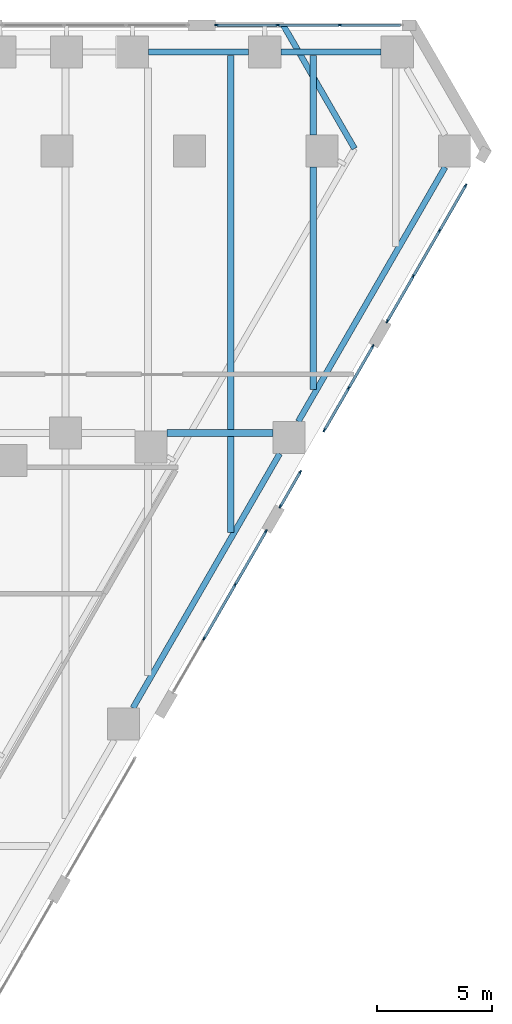
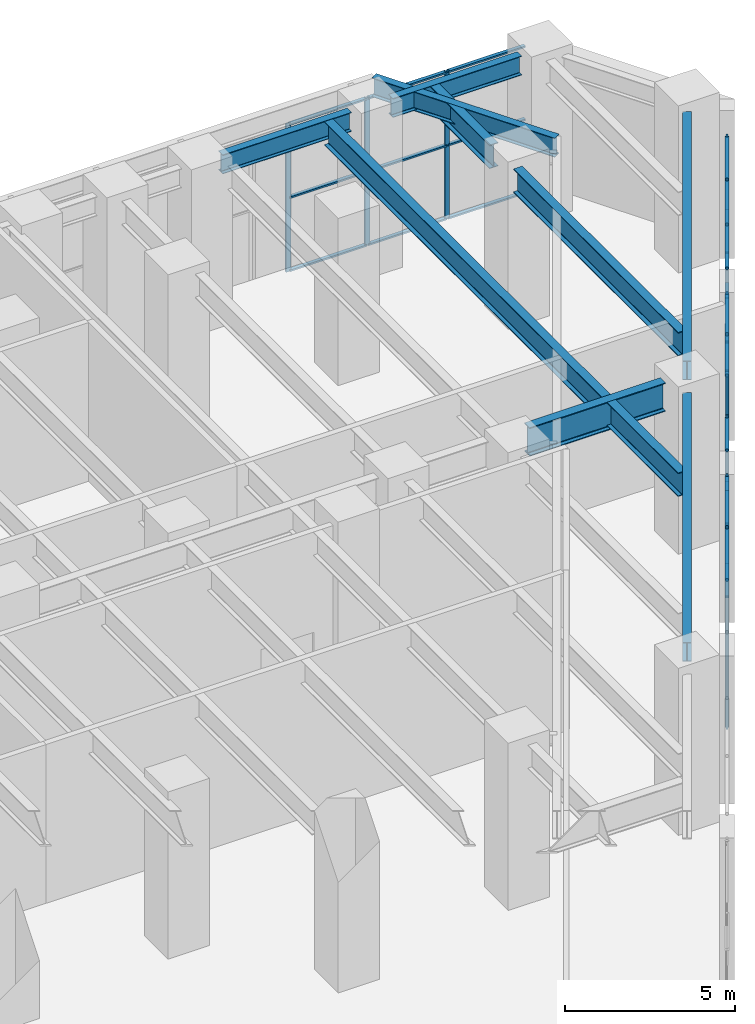
# One storey, part 20 of 37: 48 members, 10 beams, 5 elements without a shape of their own.
"""IFC4 building model written with IfcOpenShell, lengths in metres."""

from ifc_helpers import new_model, si_unit, direction, frame, origin, origin_2d, place, context, subcontext, project, spatial, rectangle, i_section, extrude, material, material_profile, profile_set, type_object, element, aggregate, save


model = new_model("IFC4")

# Units and contexts
model_context = context("Model", 3, precision=1e-05, world=origin(), true_north=direction((0.0, 1.0)))
body_context = subcontext(model_context, "Body", "Model", "MODEL_VIEW")
ifc_project = project(units=[si_unit("LENGTHUNIT", "METRE"), si_unit("AREAUNIT", "SQUARE_METRE"), si_unit("VOLUMEUNIT", "CUBIC_METRE"), si_unit("PLANEANGLEUNIT", "RADIAN"), si_unit("MASSUNIT", "GRAM", prefix="KILO")], contexts=[model_context])

# Site, building, storey
site_placement = place(None, origin())
site = spatial("IfcSite", under=ifc_project, at=site_placement, CompositionType="ELEMENT")
building_placement = place(site_placement, origin())
building = spatial("IfcBuilding", under=site, at=building_placement, Name="Aloe Facet Convention Tower", CompositionType="ELEMENT")
storey_placement = place(building_placement, frame((0.0, 0.0, 7.5)))
storey = spatial("IfcBuildingStorey", under=building, at=storey_placement, Name="L01", CompositionType="ELEMENT", Elevation=7.5)

# Beam
ifc_material_1 = material(Name="Steel S355", Category="steel")
ifc_material_profile_1 = material_profile(ifc_material_1, i_section(OverallWidth=0.25439453125, OverallDepth=0.6875, WebThickness=0.01318359375, FlangeThickness=0.02099609375, FilletRadius=0.01513671875, at=origin_2d()), Name="UB 686x254x152")
ifc_profile_set_1 = profile_set([ifc_material_profile_1], Name="Steel S355")
beam_type_1 = type_object("IfcBeamType", Name="EV-EB-UB686x254x152", PredefinedType="BEAM", material=ifc_profile_set_1)
beam_1_placement = place(storey_placement, frame((128.59912109375, 129.396728515625, 5.356201171875), z_axis=(-0.500016243463, 0.866016025414, 0.0), x_axis=(-0.866016025414, -0.500016243463, 0.0)))
element("IfcBeam", 1, at=beam_1_placement, inside=storey, type_object=beam_type_1, Name="EB-L02-C", PredefinedType="BEAM", context=body_context, shape_type="SweptSolid", body=[
    extrude(i_section(OverallWidth=0.25439453125, OverallDepth=0.6875, WebThickness=0.01318359375, FlangeThickness=0.02099609375, FilletRadius=0.01513671875, at=origin_2d()), origin(), (0.0, 0.0, 1.0), 6.210205078125),
])

# Curtain wall, members
ifc_material_2 = material(Name="Aluminium, anodised", Category="aluminium")
curtain_wall_type = type_object("IfcCurtainWallType", Name="EV-CW-SHOP", PredefinedType="USERDEFINED", material=ifc_material_2)
curtain_wall_1_placement = place(storey_placement, origin())
curtain_wall_1 = element("IfcCurtainWall", 2, at=curtain_wall_1_placement, inside=storey, type_object=curtain_wall_type, Name="CW-L01-N02", ObjectType="STICK SHOPFRONT GLAZING", PredefinedType="USERDEFINED")
ifc_material_3 = material(Name="Aluminium, anodised", Category="aluminium")
ifc_material_profile_2 = material_profile(ifc_material_3, rectangle(XDim=0.06005859375, YDim=0.159912109375, at=origin_2d()), Name="AL 60x160")
ifc_profile_set_2 = profile_set([ifc_material_profile_2], Name="Aluminium, anodised")
member_type_1 = type_object("IfcMemberType", Name="EV-MULL-SHOP", PredefinedType="MULLION", material=ifc_profile_set_2)
member_1_placement = place(storey_placement, frame((127.96044921875, 134.77490234375, -0.300048828125), z_axis=(0.0, 0.0, 1.0), x_axis=(0.0, -1.0, 0.0)))
member_1 = element("IfcMember", 3, at=member_1_placement, type_object=member_type_1, Name="CW-L01-N02 mullion 2", PredefinedType="MULLION", context=body_context, shape_type="SweptSolid", body=[
    extrude(rectangle(XDim=0.06005859375, YDim=0.159912109375, at=origin_2d()), origin(), (0.0, 0.0, 1.0), 5.3125),
])
member_2_placement = place(storey_placement, frame((125.253173828125, 134.77490234375, -0.300048828125), z_axis=(0.0, 0.0, 1.0), x_axis=(0.0, -1.0, 0.0)))
member_2 = element("IfcMember", 4, at=member_2_placement, type_object=member_type_1, Name="CW-L01-N02 mullion 3", PredefinedType="MULLION", context=body_context, shape_type="SweptSolid", body=[
    extrude(rectangle(XDim=0.06005859375, YDim=0.159912109375, at=origin_2d()), origin(), (0.0, 0.0, 1.0), 5.3125),
])
member_3_placement = place(storey_placement, frame((122.576171875, 134.77490234375, -0.300048828125), z_axis=(0.0, 0.0, 1.0), x_axis=(0.0, -1.0, 0.0)))
member_3 = element("IfcMember", 5, at=member_3_placement, type_object=member_type_1, Name="CW-L01-N02 mullion 4", PredefinedType="MULLION", context=body_context, shape_type="SweptSolid", body=[
    extrude(rectangle(XDim=0.06005859375, YDim=0.159912109375, at=origin_2d()), origin(), (0.0, 0.0, 1.0), 5.3125),
])

curtain_wall_2_placement = place(storey_placement, origin())
curtain_wall_2 = element("IfcCurtainWall", 6, at=curtain_wall_2_placement, inside=storey, type_object=curtain_wall_type, Name="CW-L01-E18", ObjectType="STICK SHOPFRONT GLAZING", PredefinedType="USERDEFINED")
member_4_placement = place(storey_placement, frame((122.044189453125, 108.043212890625, -0.300048828125), z_axis=(0.0, 0.0, 1.0), x_axis=(-0.866025403776, 0.500000000015, 0.0)))
member_4 = element("IfcMember", 7, at=member_4_placement, type_object=member_type_1, Name="CW-L01-E18 mullion 2", PredefinedType="MULLION", context=body_context, shape_type="SweptSolid", body=[
    extrude(rectangle(XDim=0.06005859375, YDim=0.159912109375, at=origin_2d()), origin(), (0.0, 0.0, 1.0), 5.3125),
])
member_5_placement = place(storey_placement, frame((123.397705078125, 110.3876953125, -0.300048828125), z_axis=(0.0, 0.0, 1.0), x_axis=(-0.866025403776, 0.500000000015, 0.0)))
member_5 = element("IfcMember", 8, at=member_5_placement, type_object=member_type_1, Name="CW-L01-E18 mullion 3", PredefinedType="MULLION", context=body_context, shape_type="SweptSolid", body=[
    extrude(rectangle(XDim=0.06005859375, YDim=0.159912109375, at=origin_2d()), origin(), (0.0, 0.0, 1.0), 5.3125),
])
member_6_placement = place(storey_placement, frame((124.736328125, 112.7060546875, -0.300048828125), z_axis=(0.0, 0.0, 1.0), x_axis=(-0.866025403776, 0.500000000015, 0.0)))
member_6 = element("IfcMember", 9, at=member_6_placement, type_object=member_type_1, Name="CW-L01-E18 mullion 4", PredefinedType="MULLION", context=body_context, shape_type="SweptSolid", body=[
    extrude(rectangle(XDim=0.06005859375, YDim=0.159912109375, at=origin_2d()), origin(), (0.0, 0.0, 1.0), 5.3125),
])

curtain_wall_3_placement = place(storey_placement, origin())
curtain_wall_3 = element("IfcCurtainWall", 10, at=curtain_wall_3_placement, inside=storey, type_object=curtain_wall_type, Name="CW-L01-E20-1", ObjectType="STICK SHOPFRONT GLAZING", PredefinedType="USERDEFINED")
member_7_placement = place(storey_placement, frame((125.3662109375, 113.79736328125, -0.300048828125), z_axis=(0.0, 0.0, 1.0), x_axis=(-0.866025403811, 0.499999999955, 0.0)))
member_7 = element("IfcMember", 11, at=member_7_placement, type_object=member_type_1, Name="CW-L01-E20-1 mullion 1", PredefinedType="MULLION", context=body_context, shape_type="SweptSolid", body=[
    extrude(rectangle(XDim=0.06005859375, YDim=0.159912109375, at=origin_2d()), origin(), (0.0, 0.0, 1.0), 5.3125),
])
member_8_placement = place(storey_placement, frame((126.232666015625, 115.298095703125, -0.300048828125), z_axis=(0.0, 0.0, 1.0), x_axis=(-0.866025403811, 0.499999999955, 0.0)))
member_8 = element("IfcMember", 12, at=member_8_placement, type_object=member_type_1, Name="CW-L01-E20-1 mullion 2", PredefinedType="MULLION", context=body_context, shape_type="SweptSolid", body=[
    extrude(rectangle(XDim=0.06005859375, YDim=0.159912109375, at=origin_2d()), origin(), (0.0, 0.0, 1.0), 5.3125),
])

curtain_wall_4_placement = place(storey_placement, origin())
curtain_wall_4 = element("IfcCurtainWall", 13, at=curtain_wall_4_placement, inside=storey, type_object=curtain_wall_type, Name="CW-L01-E20-2", ObjectType="STICK SHOPFRONT GLAZING", PredefinedType="USERDEFINED")
member_9_placement = place(storey_placement, frame((127.287353515625, 117.12451171875, -0.300048828125), z_axis=(0.0, 0.0, 1.0), x_axis=(-0.866025403767, 0.50000000003, 0.0)))
member_9 = element("IfcMember", 14, at=member_9_placement, type_object=member_type_1, Name="CW-L01-E20-2 mullion 1", PredefinedType="MULLION", context=body_context, shape_type="SweptSolid", body=[
    extrude(rectangle(XDim=0.06005859375, YDim=0.159912109375, at=origin_2d()), origin(), (0.0, 0.0, 1.0), 5.3125),
])
member_10_placement = place(storey_placement, frame((128.342041015625, 118.95166015625, -0.300048828125), z_axis=(0.0, 0.0, 1.0), x_axis=(-0.866025403767, 0.50000000003, 0.0)))
member_10 = element("IfcMember", 15, at=member_10_placement, type_object=member_type_1, Name="CW-L01-E20-2 mullion 2", PredefinedType="MULLION", context=body_context, shape_type="SweptSolid", body=[
    extrude(rectangle(XDim=0.06005859375, YDim=0.159912109375, at=origin_2d()), origin(), (0.0, 0.0, 1.0), 5.3125),
])
member_11_placement = place(storey_placement, frame((129.39697265625, 120.778564453125, -0.300048828125), z_axis=(0.0, 0.0, 1.0), x_axis=(-0.866025403767, 0.50000000003, 0.0)))
member_11 = element("IfcMember", 16, at=member_11_placement, type_object=member_type_1, Name="CW-L01-E20-2 mullion 3", PredefinedType="MULLION", context=body_context, shape_type="SweptSolid", body=[
    extrude(rectangle(XDim=0.06005859375, YDim=0.159912109375, at=origin_2d()), origin(), (0.0, 0.0, 1.0), 5.3125),
])

curtain_wall_5_placement = place(storey_placement, origin())
curtain_wall_5 = element("IfcCurtainWall", 17, at=curtain_wall_5_placement, inside=storey, type_object=curtain_wall_type, Name="CW-L01-E22", ObjectType="STICK SHOPFRONT GLAZING", PredefinedType="USERDEFINED")
member_12_placement = place(storey_placement, frame((130.02685546875, 121.869873046875, -0.300048828125), z_axis=(0.0, 0.0, 1.0), x_axis=(-0.866025403828, 0.499999999924, 0.0)))
member_12 = element("IfcMember", 18, at=member_12_placement, type_object=member_type_1, Name="CW-L01-E22 mullion 1", PredefinedType="MULLION", context=body_context, shape_type="SweptSolid", body=[
    extrude(rectangle(XDim=0.06005859375, YDim=0.159912109375, at=origin_2d()), origin(), (0.0, 0.0, 1.0), 5.3125),
])
member_13_placement = place(storey_placement, frame((131.16015625, 123.832275390625, -0.300048828125), z_axis=(0.0, 0.0, 1.0), x_axis=(-0.866025403828, 0.499999999924, 0.0)))
member_13 = element("IfcMember", 19, at=member_13_placement, type_object=member_type_1, Name="CW-L01-E22 mullion 2", PredefinedType="MULLION", context=body_context, shape_type="SweptSolid", body=[
    extrude(rectangle(XDim=0.06005859375, YDim=0.159912109375, at=origin_2d()), origin(), (0.0, 0.0, 1.0), 5.3125),
])
member_14_placement = place(storey_placement, frame((132.30810546875, 125.82080078125, -0.300048828125), z_axis=(0.0, 0.0, 1.0), x_axis=(-0.866025403828, 0.499999999924, 0.0)))
member_14 = element("IfcMember", 20, at=member_14_placement, type_object=member_type_1, Name="CW-L01-E22 mullion 3", PredefinedType="MULLION", context=body_context, shape_type="SweptSolid", body=[
    extrude(rectangle(XDim=0.06005859375, YDim=0.159912109375, at=origin_2d()), origin(), (0.0, 0.0, 1.0), 5.3125),
])
member_15_placement = place(storey_placement, frame((133.441162109375, 127.783447265625, -0.300048828125), z_axis=(0.0, 0.0, 1.0), x_axis=(-0.866025403828, 0.499999999924, 0.0)))
member_15 = element("IfcMember", 21, at=member_15_placement, type_object=member_type_1, Name="CW-L01-E22 mullion 4", PredefinedType="MULLION", context=body_context, shape_type="SweptSolid", body=[
    extrude(rectangle(XDim=0.06005859375, YDim=0.159912109375, at=origin_2d()), origin(), (0.0, 0.0, 1.0), 5.3125),
])

# Member
ifc_material_4 = material(Name="Aluminium, anodised", Category="aluminium")
ifc_material_profile_3 = material_profile(ifc_material_4, rectangle(XDim=0.1201171875, YDim=0.06005859375, at=origin_2d()), Name="AL 120x60")
ifc_profile_set_3 = profile_set([ifc_material_profile_3], Name="Aluminium, anodised")
member_type_2 = type_object("IfcMemberType", Name="EV-TRAN-SHOP", PredefinedType="USERDEFINED", material=ifc_profile_set_3)
member_16_placement = place(storey_placement, frame((130.607421875, 134.77490234375, -0.27001953125), z_axis=(-1.0, 0.0, 0.0), x_axis=(0.0, -1.0, 0.0)))
member_16 = element("IfcMember", 22, at=member_16_placement, type_object=member_type_2, Name="CW-L01-N02 transom 1.1", ObjectType="TRANSOM", PredefinedType="USERDEFINED", context=body_context, shape_type="SweptSolid", body=[
    extrude(rectangle(XDim=0.1201171875, YDim=0.06005859375, at=origin_2d()), origin(), (0.0, 0.0, 1.0), 2.616943359375),
])

member_17_placement = place(storey_placement, frame((130.607421875, 134.77490234375, 2.356201171875), z_axis=(-1.0, 0.0, 0.0), x_axis=(0.0, -1.0, 0.0)))
member_17 = element("IfcMember", 23, at=member_17_placement, type_object=member_type_2, Name="CW-L01-N02 transom 1.2", ObjectType="TRANSOM", PredefinedType="USERDEFINED", context=body_context, shape_type="SweptSolid", body=[
    extrude(rectangle(XDim=0.1201171875, YDim=0.06005859375, at=origin_2d()), origin(), (0.0, 0.0, 1.0), 2.616943359375),
])

member_18_placement = place(storey_placement, frame((130.607421875, 134.77490234375, 4.982421875), z_axis=(-1.0, 0.0, 0.0), x_axis=(0.0, -1.0, 0.0)))
member_18 = element("IfcMember", 24, at=member_18_placement, type_object=member_type_2, Name="CW-L01-N02 transom 1.3", ObjectType="TRANSOM", PredefinedType="USERDEFINED", context=body_context, shape_type="SweptSolid", body=[
    extrude(rectangle(XDim=0.1201171875, YDim=0.06005859375, at=origin_2d()), origin(), (0.0, 0.0, 1.0), 2.616943359375),
])

member_19_placement = place(storey_placement, frame((127.930419921875, 134.77490234375, -0.27001953125), z_axis=(-1.0, 0.0, 0.0), x_axis=(0.0, -1.0, 0.0)))
member_19 = element("IfcMember", 25, at=member_19_placement, type_object=member_type_2, Name="CW-L01-N02 transom 2.1", ObjectType="TRANSOM", PredefinedType="USERDEFINED", context=body_context, shape_type="SweptSolid", body=[
    extrude(rectangle(XDim=0.1201171875, YDim=0.06005859375, at=origin_2d()), origin(), (0.0, 0.0, 1.0), 2.647216796875),
])

member_20_placement = place(storey_placement, frame((127.930419921875, 134.77490234375, 2.356201171875), z_axis=(-1.0, 0.0, 0.0), x_axis=(0.0, -1.0, 0.0)))
member_20 = element("IfcMember", 26, at=member_20_placement, type_object=member_type_2, Name="CW-L01-N02 transom 2.2", ObjectType="TRANSOM", PredefinedType="USERDEFINED", context=body_context, shape_type="SweptSolid", body=[
    extrude(rectangle(XDim=0.1201171875, YDim=0.06005859375, at=origin_2d()), origin(), (0.0, 0.0, 1.0), 2.647216796875),
])

member_21_placement = place(storey_placement, frame((127.930419921875, 134.77490234375, 4.982421875), z_axis=(-1.0, 0.0, 0.0), x_axis=(0.0, -1.0, 0.0)))
member_21 = element("IfcMember", 27, at=member_21_placement, type_object=member_type_2, Name="CW-L01-N02 transom 2.3", ObjectType="TRANSOM", PredefinedType="USERDEFINED", context=body_context, shape_type="SweptSolid", body=[
    extrude(rectangle(XDim=0.1201171875, YDim=0.06005859375, at=origin_2d()), origin(), (0.0, 0.0, 1.0), 2.647216796875),
])

member_22_placement = place(storey_placement, frame((125.223388671875, 134.77490234375, -0.27001953125), z_axis=(-1.0, 0.0, 0.0), x_axis=(0.0, -1.0, 0.0)))
member_22 = element("IfcMember", 28, at=member_22_placement, type_object=member_type_2, Name="CW-L01-N02 transom 3.1", ObjectType="TRANSOM", PredefinedType="USERDEFINED", context=body_context, shape_type="SweptSolid", body=[
    extrude(rectangle(XDim=0.1201171875, YDim=0.06005859375, at=origin_2d()), origin(), (0.0, 0.0, 1.0), 2.6171875),
])

member_23_placement = place(storey_placement, frame((125.223388671875, 134.77490234375, 2.356201171875), z_axis=(-1.0, 0.0, 0.0), x_axis=(0.0, -1.0, 0.0)))
member_23 = element("IfcMember", 29, at=member_23_placement, type_object=member_type_2, Name="CW-L01-N02 transom 3.2", ObjectType="TRANSOM", PredefinedType="USERDEFINED", context=body_context, shape_type="SweptSolid", body=[
    extrude(rectangle(XDim=0.1201171875, YDim=0.06005859375, at=origin_2d()), origin(), (0.0, 0.0, 1.0), 2.6171875),
])

member_24_placement = place(storey_placement, frame((125.223388671875, 134.77490234375, 4.982421875), z_axis=(-1.0, 0.0, 0.0), x_axis=(0.0, -1.0, 0.0)))
member_24 = element("IfcMember", 30, at=member_24_placement, type_object=member_type_2, Name="CW-L01-N02 transom 3.3", ObjectType="TRANSOM", PredefinedType="USERDEFINED", context=body_context, shape_type="SweptSolid", body=[
    extrude(rectangle(XDim=0.1201171875, YDim=0.06005859375, at=origin_2d()), origin(), (0.0, 0.0, 1.0), 2.6171875),
])

aggregate(curtain_wall_1, [member_1, member_2, member_3, member_16, member_17, member_18, member_19, member_20, member_21, member_22, member_23, member_24])

member_25_placement = place(storey_placement, frame((122.05908203125, 108.069091796875, -0.27001953125), z_axis=(0.500047101561, 0.865998207978, 0.0), x_axis=(-0.865998207978, 0.500047101561, 0.0)))
member_25 = element("IfcMember", 31, at=member_25_placement, type_object=member_type_2, Name="CW-L01-E18 transom 2.1", ObjectType="TRANSOM", PredefinedType="USERDEFINED", context=body_context, shape_type="SweptSolid", body=[
    extrude(rectangle(XDim=0.1201171875, YDim=0.06005859375, at=origin_2d()), origin(), (0.0, 0.0, 1.0), 2.647216796875),
])

member_26_placement = place(storey_placement, frame((122.05908203125, 108.069091796875, 2.356201171875), z_axis=(0.500047101561, 0.865998207978, 0.0), x_axis=(-0.865998207978, 0.500047101561, 0.0)))
member_26 = element("IfcMember", 32, at=member_26_placement, type_object=member_type_2, Name="CW-L01-E18 transom 2.2", ObjectType="TRANSOM", PredefinedType="USERDEFINED", context=body_context, shape_type="SweptSolid", body=[
    extrude(rectangle(XDim=0.1201171875, YDim=0.06005859375, at=origin_2d()), origin(), (0.0, 0.0, 1.0), 2.647216796875),
])

member_27_placement = place(storey_placement, frame((122.05908203125, 108.069091796875, 4.982421875), z_axis=(0.500047101561, 0.865998207978, 0.0), x_axis=(-0.865998207978, 0.500047101561, 0.0)))
member_27 = element("IfcMember", 33, at=member_27_placement, type_object=member_type_2, Name="CW-L01-E18 transom 2.3", ObjectType="TRANSOM", PredefinedType="USERDEFINED", context=body_context, shape_type="SweptSolid", body=[
    extrude(rectangle(XDim=0.1201171875, YDim=0.06005859375, at=origin_2d()), origin(), (0.0, 0.0, 1.0), 2.647216796875),
])

member_28_placement = place(storey_placement, frame((123.412841796875, 110.41357421875, -0.27001953125), z_axis=(0.49992164446, 0.86607063765, 0.0), x_axis=(-0.86607063765, 0.49992164446, 0.0)))
member_28 = element("IfcMember", 34, at=member_28_placement, type_object=member_type_2, Name="CW-L01-E18 transom 3.1", ObjectType="TRANSOM", PredefinedType="USERDEFINED", context=body_context, shape_type="SweptSolid", body=[
    extrude(rectangle(XDim=0.1201171875, YDim=0.06005859375, at=origin_2d()), origin(), (0.0, 0.0, 1.0), 2.6171875),
])

member_29_placement = place(storey_placement, frame((123.412841796875, 110.41357421875, 2.356201171875), z_axis=(0.49992164446, 0.86607063765, 0.0), x_axis=(-0.86607063765, 0.49992164446, 0.0)))
member_29 = element("IfcMember", 35, at=member_29_placement, type_object=member_type_2, Name="CW-L01-E18 transom 3.2", ObjectType="TRANSOM", PredefinedType="USERDEFINED", context=body_context, shape_type="SweptSolid", body=[
    extrude(rectangle(XDim=0.1201171875, YDim=0.06005859375, at=origin_2d()), origin(), (0.0, 0.0, 1.0), 2.6171875),
])

member_30_placement = place(storey_placement, frame((123.412841796875, 110.41357421875, 4.982421875), z_axis=(0.49992164446, 0.86607063765, 0.0), x_axis=(-0.86607063765, 0.49992164446, 0.0)))
member_30 = element("IfcMember", 36, at=member_30_placement, type_object=member_type_2, Name="CW-L01-E18 transom 3.3", ObjectType="TRANSOM", PredefinedType="USERDEFINED", context=body_context, shape_type="SweptSolid", body=[
    extrude(rectangle(XDim=0.1201171875, YDim=0.06005859375, at=origin_2d()), origin(), (0.0, 0.0, 1.0), 2.6171875),
])

aggregate(curtain_wall_2, [member_4, member_5, member_6, member_25, member_26, member_27, member_28, member_29, member_30])

member_31_placement = place(storey_placement, frame((125.38134765625, 113.8232421875, -0.27001953125), z_axis=(0.500000383388, 0.866025182435, 0.0), x_axis=(-0.866025182435, 0.500000383388, 0.0)))
member_31 = element("IfcMember", 37, at=member_31_placement, type_object=member_type_2, Name="CW-L01-E20-1 transom 1.1", ObjectType="TRANSOM", PredefinedType="USERDEFINED", context=body_context, shape_type="SweptSolid", body=[
    extrude(rectangle(XDim=0.1201171875, YDim=0.06005859375, at=origin_2d()), origin(), (0.0, 0.0, 1.0), 1.6728515625),
])

member_32_placement = place(storey_placement, frame((125.38134765625, 113.8232421875, 2.356201171875), z_axis=(0.500000383388, 0.866025182435, 0.0), x_axis=(-0.866025182435, 0.500000383388, 0.0)))
member_32 = element("IfcMember", 38, at=member_32_placement, type_object=member_type_2, Name="CW-L01-E20-1 transom 1.2", ObjectType="TRANSOM", PredefinedType="USERDEFINED", context=body_context, shape_type="SweptSolid", body=[
    extrude(rectangle(XDim=0.1201171875, YDim=0.06005859375, at=origin_2d()), origin(), (0.0, 0.0, 1.0), 1.6728515625),
])

member_33_placement = place(storey_placement, frame((125.38134765625, 113.8232421875, 4.982421875), z_axis=(0.500000383388, 0.866025182435, 0.0), x_axis=(-0.866025182435, 0.500000383388, 0.0)))
member_33 = element("IfcMember", 39, at=member_33_placement, type_object=member_type_2, Name="CW-L01-E20-1 transom 1.3", ObjectType="TRANSOM", PredefinedType="USERDEFINED", context=body_context, shape_type="SweptSolid", body=[
    extrude(rectangle(XDim=0.1201171875, YDim=0.06005859375, at=origin_2d()), origin(), (0.0, 0.0, 1.0), 1.6728515625),
])

aggregate(curtain_wall_3, [member_7, member_8, member_31, member_32, member_33])

member_34_placement = place(storey_placement, frame((127.30224609375, 117.150390625, -0.27001953125), z_axis=(0.500007699544, 0.866020958405, 0.0), x_axis=(-0.866020958405, 0.500007699544, 0.0)))
member_34 = element("IfcMember", 40, at=member_34_placement, type_object=member_type_2, Name="CW-L01-E20-2 transom 1.1", ObjectType="TRANSOM", PredefinedType="USERDEFINED", context=body_context, shape_type="SweptSolid", body=[
    extrude(rectangle(XDim=0.1201171875, YDim=0.06005859375, at=origin_2d()), origin(), (0.0, 0.0, 1.0), 2.0498046875),
])

member_35_placement = place(storey_placement, frame((127.30224609375, 117.150390625, 2.356201171875), z_axis=(0.500007699544, 0.866020958405, 0.0), x_axis=(-0.866020958405, 0.500007699544, 0.0)))
member_35 = element("IfcMember", 41, at=member_35_placement, type_object=member_type_2, Name="CW-L01-E20-2 transom 1.2", ObjectType="TRANSOM", PredefinedType="USERDEFINED", context=body_context, shape_type="SweptSolid", body=[
    extrude(rectangle(XDim=0.1201171875, YDim=0.06005859375, at=origin_2d()), origin(), (0.0, 0.0, 1.0), 2.0498046875),
])

member_36_placement = place(storey_placement, frame((127.30224609375, 117.150390625, 4.982421875), z_axis=(0.500007699544, 0.866020958405, 0.0), x_axis=(-0.866020958405, 0.500007699544, 0.0)))
member_36 = element("IfcMember", 42, at=member_36_placement, type_object=member_type_2, Name="CW-L01-E20-2 transom 1.3", ObjectType="TRANSOM", PredefinedType="USERDEFINED", context=body_context, shape_type="SweptSolid", body=[
    extrude(rectangle(XDim=0.1201171875, YDim=0.06005859375, at=origin_2d()), origin(), (0.0, 0.0, 1.0), 2.0498046875),
])

member_37_placement = place(storey_placement, frame((128.357177734375, 118.9775390625, -0.27001953125), z_axis=(0.500007699544, 0.866020958405, 0.0), x_axis=(-0.866020958405, 0.500007699544, 0.0)))
member_37 = element("IfcMember", 43, at=member_37_placement, type_object=member_type_2, Name="CW-L01-E20-2 transom 2.1", ObjectType="TRANSOM", PredefinedType="USERDEFINED", context=body_context, shape_type="SweptSolid", body=[
    extrude(rectangle(XDim=0.1201171875, YDim=0.06005859375, at=origin_2d()), origin(), (0.0, 0.0, 1.0), 2.0498046875),
])

member_38_placement = place(storey_placement, frame((128.357177734375, 118.9775390625, 2.356201171875), z_axis=(0.500007699544, 0.866020958405, 0.0), x_axis=(-0.866020958405, 0.500007699544, 0.0)))
member_38 = element("IfcMember", 44, at=member_38_placement, type_object=member_type_2, Name="CW-L01-E20-2 transom 2.2", ObjectType="TRANSOM", PredefinedType="USERDEFINED", context=body_context, shape_type="SweptSolid", body=[
    extrude(rectangle(XDim=0.1201171875, YDim=0.06005859375, at=origin_2d()), origin(), (0.0, 0.0, 1.0), 2.0498046875),
])

member_39_placement = place(storey_placement, frame((128.357177734375, 118.9775390625, 4.982421875), z_axis=(0.500007699544, 0.866020958405, 0.0), x_axis=(-0.866020958405, 0.500007699544, 0.0)))
member_39 = element("IfcMember", 45, at=member_39_placement, type_object=member_type_2, Name="CW-L01-E20-2 transom 2.3", ObjectType="TRANSOM", PredefinedType="USERDEFINED", context=body_context, shape_type="SweptSolid", body=[
    extrude(rectangle(XDim=0.1201171875, YDim=0.06005859375, at=origin_2d()), origin(), (0.0, 0.0, 1.0), 2.0498046875),
])

aggregate(curtain_wall_4, [member_9, member_10, member_11, member_34, member_35, member_36, member_37, member_38, member_39])

member_40_placement = place(storey_placement, frame((130.0419921875, 121.895751953125, -0.27001953125), z_axis=(0.499971514742, 0.866041849131, 0.0), x_axis=(-0.866041849131, 0.499971514742, 0.0)))
member_40 = element("IfcMember", 46, at=member_40_placement, type_object=member_type_2, Name="CW-L01-E22 transom 1.1", ObjectType="TRANSOM", PredefinedType="USERDEFINED", context=body_context, shape_type="SweptSolid", body=[
    extrude(rectangle(XDim=0.1201171875, YDim=0.06005859375, at=origin_2d()), origin(), (0.0, 0.0, 1.0), 2.206298828125),
])

member_41_placement = place(storey_placement, frame((130.0419921875, 121.895751953125, 2.356201171875), z_axis=(0.499971514742, 0.866041849131, 0.0), x_axis=(-0.866041849131, 0.499971514742, 0.0)))
member_41 = element("IfcMember", 47, at=member_41_placement, type_object=member_type_2, Name="CW-L01-E22 transom 1.2", ObjectType="TRANSOM", PredefinedType="USERDEFINED", context=body_context, shape_type="SweptSolid", body=[
    extrude(rectangle(XDim=0.1201171875, YDim=0.06005859375, at=origin_2d()), origin(), (0.0, 0.0, 1.0), 2.206298828125),
])

member_42_placement = place(storey_placement, frame((130.0419921875, 121.895751953125, 4.982421875), z_axis=(0.499971514742, 0.866041849131, 0.0), x_axis=(-0.866041849131, 0.499971514742, 0.0)))
member_42 = element("IfcMember", 48, at=member_42_placement, type_object=member_type_2, Name="CW-L01-E22 transom 1.3", ObjectType="TRANSOM", PredefinedType="USERDEFINED", context=body_context, shape_type="SweptSolid", body=[
    extrude(rectangle(XDim=0.1201171875, YDim=0.06005859375, at=origin_2d()), origin(), (0.0, 0.0, 1.0), 2.206298828125),
])

member_43_placement = place(storey_placement, frame((131.175048828125, 123.8583984375, -0.27001953125), z_axis=(0.500037474894, 0.866003766563, 0.0), x_axis=(-0.866003766563, 0.500037474894, 0.0)))
member_43 = element("IfcMember", 49, at=member_43_placement, type_object=member_type_2, Name="CW-L01-E22 transom 2.1", ObjectType="TRANSOM", PredefinedType="USERDEFINED", context=body_context, shape_type="SweptSolid", body=[
    extrude(rectangle(XDim=0.1201171875, YDim=0.06005859375, at=origin_2d()), origin(), (0.0, 0.0, 1.0), 2.236083984375),
])

member_44_placement = place(storey_placement, frame((131.175048828125, 123.8583984375, 2.356201171875), z_axis=(0.500037474894, 0.866003766563, 0.0), x_axis=(-0.866003766563, 0.500037474894, 0.0)))
member_44 = element("IfcMember", 50, at=member_44_placement, type_object=member_type_2, Name="CW-L01-E22 transom 2.2", ObjectType="TRANSOM", PredefinedType="USERDEFINED", context=body_context, shape_type="SweptSolid", body=[
    extrude(rectangle(XDim=0.1201171875, YDim=0.06005859375, at=origin_2d()), origin(), (0.0, 0.0, 1.0), 2.236083984375),
])

member_45_placement = place(storey_placement, frame((131.175048828125, 123.8583984375, 4.982421875), z_axis=(0.500037474894, 0.866003766563, 0.0), x_axis=(-0.866003766563, 0.500037474894, 0.0)))
member_45 = element("IfcMember", 51, at=member_45_placement, type_object=member_type_2, Name="CW-L01-E22 transom 2.3", ObjectType="TRANSOM", PredefinedType="USERDEFINED", context=body_context, shape_type="SweptSolid", body=[
    extrude(rectangle(XDim=0.1201171875, YDim=0.06005859375, at=origin_2d()), origin(), (0.0, 0.0, 1.0), 2.236083984375),
])

member_46_placement = place(storey_placement, frame((132.322998046875, 125.846923828125, -0.27001953125), z_axis=(0.500102430372, 0.865966257504, 0.0), x_axis=(-0.865966257504, 0.500102430372, 0.0)))
member_46 = element("IfcMember", 52, at=member_46_placement, type_object=member_type_2, Name="CW-L01-E22 transom 3.1", ObjectType="TRANSOM", PredefinedType="USERDEFINED", context=body_context, shape_type="SweptSolid", body=[
    extrude(rectangle(XDim=0.1201171875, YDim=0.06005859375, at=origin_2d()), origin(), (0.0, 0.0, 1.0), 2.2060546875),
])

member_47_placement = place(storey_placement, frame((132.322998046875, 125.846923828125, 2.356201171875), z_axis=(0.500102430372, 0.865966257504, 0.0), x_axis=(-0.865966257504, 0.500102430372, 0.0)))
member_47 = element("IfcMember", 53, at=member_47_placement, type_object=member_type_2, Name="CW-L01-E22 transom 3.2", ObjectType="TRANSOM", PredefinedType="USERDEFINED", context=body_context, shape_type="SweptSolid", body=[
    extrude(rectangle(XDim=0.1201171875, YDim=0.06005859375, at=origin_2d()), origin(), (0.0, 0.0, 1.0), 2.2060546875),
])

member_48_placement = place(storey_placement, frame((132.322998046875, 125.846923828125, 4.982421875), z_axis=(0.500102430372, 0.865966257504, 0.0), x_axis=(-0.865966257504, 0.500102430372, 0.0)))
member_48 = element("IfcMember", 54, at=member_48_placement, type_object=member_type_2, Name="CW-L01-E22 transom 3.3", ObjectType="TRANSOM", PredefinedType="USERDEFINED", context=body_context, shape_type="SweptSolid", body=[
    extrude(rectangle(XDim=0.1201171875, YDim=0.06005859375, at=origin_2d()), origin(), (0.0, 0.0, 1.0), 2.2060546875),
])

aggregate(curtain_wall_5, [member_12, member_13, member_14, member_15, member_40, member_41, member_42, member_43, member_44, member_45, member_46, member_47, member_48])

# Beams
ifc_material_5 = material(Name="Steel S355", Category="steel")
ifc_material_profile_4 = material_profile(ifc_material_5, i_section(OverallWidth=0.305419921875, OverallDepth=1.02587890625, WebThickness=0.02001953125, FlangeThickness=0.031005859375, FilletRadius=0.030029296875, at=origin_2d()), Name="UB 1016x305x349")
ifc_profile_set_4 = profile_set([ifc_material_profile_4], Name="Steel S355")
beam_type_2 = type_object("IfcBeamType", Name="SF-B-UB1016x305x349", PredefinedType="BEAM", material=ifc_profile_set_4)
beam_2_placement = place(storey_placement, frame((120.429931640625, 117.0, 5.18701171875), z_axis=(1.0, 0.0, 0.0), x_axis=(0.0, 1.0, 0.0)))
element("IfcBeam", 55, at=beam_2_placement, inside=storey, type_object=beam_type_2, Name="Floor beam FB-L02-049", PredefinedType="BEAM", context=body_context, shape_type="SweptSolid", body=[
    extrude(i_section(OverallWidth=0.305419921875, OverallDepth=1.02587890625, WebThickness=0.02001953125, FlangeThickness=0.031005859375, FilletRadius=0.030029296875, at=origin_2d()), origin(), (0.0, 0.0, 1.0), 4.612060546875),
])
ifc_material_6 = material(Name="Steel S355", Category="steel")
ifc_material_profile_5 = material_profile(ifc_material_6, i_section(OverallWidth=0.25439453125, OverallDepth=0.6875, WebThickness=0.01318359375, FlangeThickness=0.02099609375, FilletRadius=0.01513671875, at=origin_2d()), Name="UB 686x254x152")
ifc_profile_set_5 = profile_set([ifc_material_profile_5], Name="Steel S355")
beam_type_3 = type_object("IfcBeamType", Name="SF-B-UB686x254x152", PredefinedType="BEAM", material=ifc_profile_set_5)
beam_3_placement = place(storey_placement, frame((119.612060546875, 133.60009765625, 5.356201171875), z_axis=(1.0, 0.0, 0.0), x_axis=(0.0, 1.0, 0.0)))
element("IfcBeam", 56, at=beam_3_placement, inside=storey, type_object=beam_type_3, Name="Floor beam FB-L02-025", PredefinedType="BEAM", context=body_context, shape_type="SweptSolid", body=[
    extrude(i_section(OverallWidth=0.25439453125, OverallDepth=0.6875, WebThickness=0.01318359375, FlangeThickness=0.02099609375, FilletRadius=0.01513671875, at=origin_2d()), origin(), (0.0, 0.0, 1.0), 4.3740234375),
])
beam_4_placement = place(storey_placement, frame((125.33837890625, 116.09912109375, 5.356201171875), z_axis=(-0.499987149722, -0.866032822769, 0.0), x_axis=(0.866032822769, -0.499987149722, 0.0)))
element("IfcBeam", 57, at=beam_4_placement, inside=storey, type_object=beam_type_3, Name="Floor beam FB-L02-026", PredefinedType="BEAM", context=body_context, shape_type="SweptSolid", body=[
    extrude(i_section(OverallWidth=0.25439453125, OverallDepth=0.6875, WebThickness=0.01318359375, FlangeThickness=0.02099609375, FilletRadius=0.01513671875, at=origin_2d()), origin(), (0.0, 0.0, 1.0), 12.801025390625),
])
beam_5_placement = place(storey_placement, frame((125.385986328125, 133.60009765625, 5.356201171875), z_axis=(1.0, 0.0, 0.0), x_axis=(0.0, 1.0, 0.0)))
element("IfcBeam", 58, at=beam_5_placement, inside=storey, type_object=beam_type_3, Name="Floor beam FB-L02-027", PredefinedType="BEAM", context=body_context, shape_type="SweptSolid", body=[
    extrude(i_section(OverallWidth=0.25439453125, OverallDepth=0.6875, WebThickness=0.01318359375, FlangeThickness=0.02099609375, FilletRadius=0.01513671875, at=origin_2d()), origin(), (0.0, 0.0, 1.0), 4.373046875),
])
beam_6_placement = place(storey_placement, frame((132.546630859375, 128.583984375, 5.356201171875), z_axis=(-0.499999833739, -0.866025499775, 0.0), x_axis=(0.866025499775, -0.499999833739, 0.0)))
element("IfcBeam", 59, at=beam_6_placement, inside=storey, type_object=beam_type_3, Name="Floor beam FB-L02-029", PredefinedType="BEAM", context=body_context, shape_type="SweptSolid", body=[
    extrude(i_section(OverallWidth=0.25439453125, OverallDepth=0.6875, WebThickness=0.01318359375, FlangeThickness=0.02099609375, FilletRadius=0.01513671875, at=origin_2d()), origin(), (0.0, 0.0, 1.0), 12.7998046875),
])
ifc_material_7 = material(Name="Steel S355", Category="steel")
ifc_material_profile_6 = material_profile(ifc_material_7, i_section(OverallWidth=0.293701171875, OverallDepth=0.850830078125, WebThickness=0.01611328125, FlangeThickness=0.02685546875, FilletRadius=0.017822265625, at=origin_2d()), Name="UB 838x292x226")
ifc_profile_set_6 = profile_set([ifc_material_profile_6], Name="Steel S355")
beam_type_4 = type_object("IfcBeamType", Name="SF-B-UB838x292x226", PredefinedType="BEAM", material=ifc_profile_set_6)
beam_7_placement = place(storey_placement, frame((123.199951171875, 112.65966796875, 5.2744140625), z_axis=(0.0, 1.0, 0.0), x_axis=(-1.0, 0.0, 0.0)))
element("IfcBeam", 60, at=beam_7_placement, inside=storey, type_object=beam_type_4, Name="Floor beam FB-L02-164", PredefinedType="BEAM", context=body_context, shape_type="SweptSolid", body=[
    extrude(i_section(OverallWidth=0.293701171875, OverallDepth=0.850830078125, WebThickness=0.01611328125, FlangeThickness=0.02685546875, FilletRadius=0.017822265625, at=origin_2d()), origin(), (0.0, 0.0, 1.0), 4.187744140625),
])
beam_8_placement = place(storey_placement, frame((123.199951171875, 117.152587890625, 5.2744140625), z_axis=(0.0, 1.0, 0.0), x_axis=(-1.0, 0.0, 0.0)))
element("IfcBeam", 61, at=beam_8_placement, inside=storey, type_object=beam_type_4, Name="Floor beam FB-L02-165", PredefinedType="BEAM", context=body_context, shape_type="SweptSolid", body=[
    extrude(i_section(OverallWidth=0.293701171875, OverallDepth=0.850830078125, WebThickness=0.01611328125, FlangeThickness=0.02685546875, FilletRadius=0.017822265625, at=origin_2d()), origin(), (0.0, 0.0, 1.0), 16.31005859375),
])
beam_9_placement = place(storey_placement, frame((126.800048828125, 118.89501953125, 5.2744140625), z_axis=(0.0, 1.0, 0.0), x_axis=(-1.0, 0.0, 0.0)))
element("IfcBeam", 62, at=beam_9_placement, inside=storey, type_object=beam_type_4, Name="Floor beam FB-L02-166", PredefinedType="BEAM", context=body_context, shape_type="SweptSolid", body=[
    extrude(i_section(OverallWidth=0.293701171875, OverallDepth=0.850830078125, WebThickness=0.01611328125, FlangeThickness=0.02685546875, FilletRadius=0.017822265625, at=origin_2d()), origin(), (0.0, 0.0, 1.0), 9.68896484375),
])
beam_10_placement = place(storey_placement, frame((126.800048828125, 129.98388671875, 5.2744140625), z_axis=(0.0, 1.0, 0.0), x_axis=(-1.0, 0.0, 0.0)))
element("IfcBeam", 63, at=beam_10_placement, inside=storey, type_object=beam_type_4, Name="Floor beam FB-L02-167", PredefinedType="BEAM", context=body_context, shape_type="SweptSolid", body=[
    extrude(i_section(OverallWidth=0.293701171875, OverallDepth=0.850830078125, WebThickness=0.01611328125, FlangeThickness=0.02685546875, FilletRadius=0.017822265625, at=origin_2d()), origin(), (0.0, 0.0, 1.0), 3.478759765625),
])

save(model, "model.ifc")
